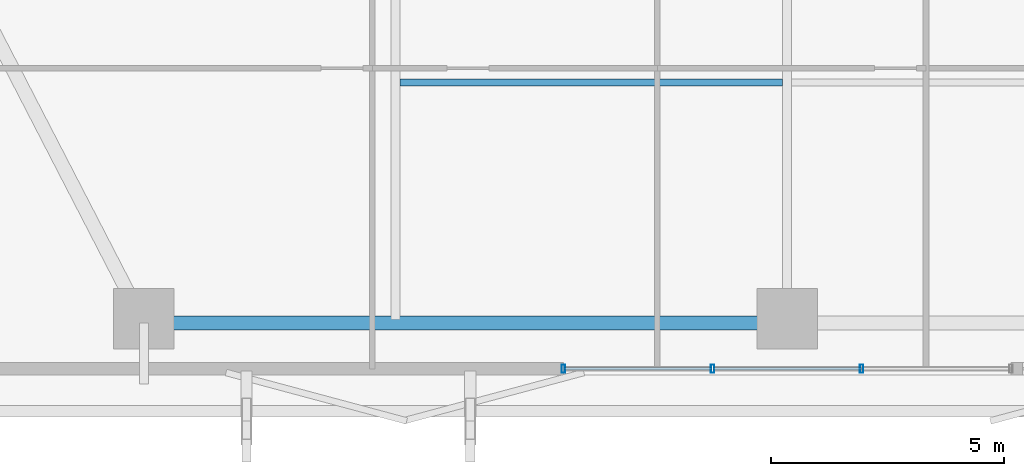
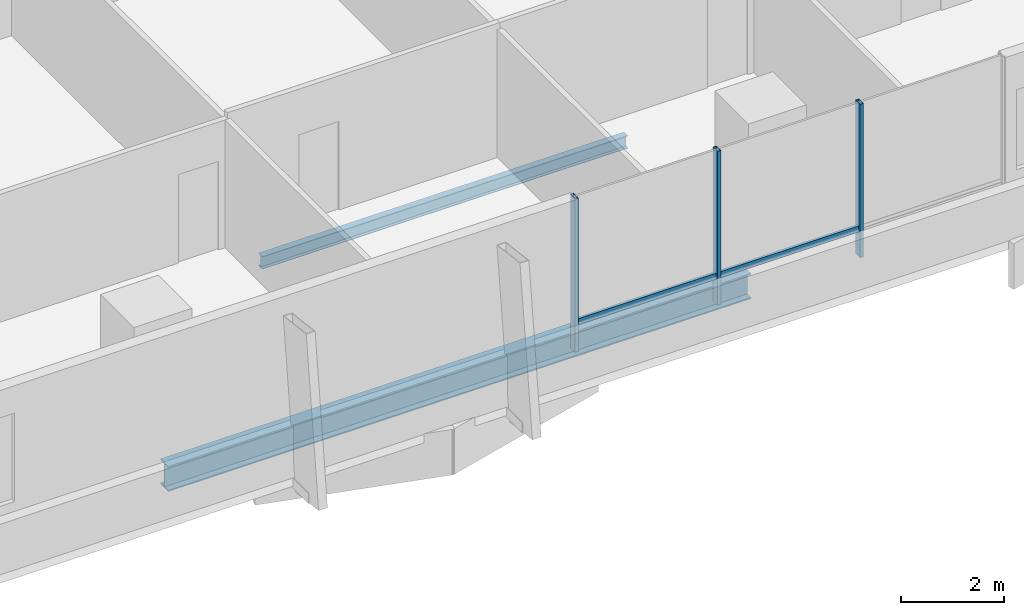
# One storey, part 5 of 34: 5 members, 2 beams, 1 element without a shape of its own.
"""IFC4 building model written with IfcOpenShell, lengths in metres."""

import ifcopenshell
import ifcopenshell.guid

model = None  # the IFC model being written
_history = None  # IfcOwnerHistory: only IFC2X3 demands one
_inside = {}  # id of a spatial element -> (the spatial element, [elements in it])
_under = {}  # id of a project, library or spatial element -> (it, [spatial elements below it])
_declared = {}  # id of a project -> (the project, [libraries it declares])
_typed = {}  # id of a type object -> (the type object, [elements of that type])
_made_of = {}  # id of a material, layer set ... -> (it, [elements and type objects made of it])


def new_model(schema):
    """Start an empty IFC model of exactly this schema.

    Asked for "IFC4X3", IfcOpenShell would pick the latest addendum, in which some entities
    have other attributes; the version numbers below select the first issue.
    IFC2X3 requires an IfcOwnerHistory on every rooted entity: one is made here for all.
    """
    global model, _history
    if schema == "IFC4X3":
        model = ifcopenshell.file(schema_version=(4, 3, 0, 0))
    else:
        model = ifcopenshell.file(schema=schema)
    _inside.clear()
    _under.clear()
    _declared.clear()
    _typed.clear()
    _made_of.clear()
    _history = None
    if model.schema == "IFC2X3":
        org = make("IfcOrganization", Name="unknown")
        user = make(
            "IfcPersonAndOrganization",
            ThePerson=make("IfcPerson", FamilyName="unknown"),
            TheOrganization=org,
        )
        app = make(
            "IfcApplication",
            ApplicationDeveloper=org,
            Version="unknown",
            ApplicationFullName="unknown",
            ApplicationIdentifier="unknown",
        )
        _history = make(
            "IfcOwnerHistory",
            OwningUser=user,
            OwningApplication=app,
            ChangeAction="ADDED",
            CreationDate=0,
        )
    return model


def make(cls, **values):
    """One entity of the class cls with the attributes given. An attribute that is None is left unset."""
    return model.create_entity(
        cls, **{name: value for name, value in values.items() if value is not None}
    )


def rooted(cls, **values):
    """An entity with a GlobalId (a new one), such as an element, a storey or a relation."""
    return make(cls, GlobalId=ifcopenshell.guid.new(), OwnerHistory=_history, **values)


def si_unit(unit_type, name, prefix=None):
    """IfcSIUnit, for example si_unit("LENGTHUNIT", "METRE", prefix="MILLI")."""
    return make("IfcSIUnit", UnitType=unit_type, Prefix=prefix, Name=name)


def assignment(units):
    """IfcUnitAssignment: the units of a project."""
    return None if units is None else make("IfcUnitAssignment", Units=units)


def point(xyz):
    """IfcCartesianPoint."""
    return None if xyz is None else make("IfcCartesianPoint", Coordinates=xyz)


def direction(xyz):
    """IfcDirection."""
    return None if xyz is None else make("IfcDirection", DirectionRatios=xyz)


def frame(location, z_axis=None, x_axis=None):
    """IfcAxis2Placement3D, a coordinate frame: its origin and axes. An axis left out is left unset."""
    return make(
        "IfcAxis2Placement3D",
        Location=point(location),
        Axis=direction(z_axis),
        RefDirection=direction(x_axis),
    )


def frame_2d(location, x_axis=None):
    """IfcAxis2Placement2D, a coordinate frame in the plane: its origin and x axis."""
    return make(
        "IfcAxis2Placement2D", Location=point(location), RefDirection=direction(x_axis)
    )


def origin():
    """The frame at (0, 0, 0) with its axes left unset."""
    return frame((0.0, 0.0, 0.0))


def origin_2d():
    """The frame at (0, 0) in the plane with its x axis left unset."""
    return frame_2d((0.0, 0.0))


def place(relative_to, where):
    """IfcLocalPlacement: puts the frame where relative to a parent placement (None: the world)."""
    return make(
        "IfcLocalPlacement", PlacementRelTo=relative_to, RelativePlacement=where
    )


def context(
    kind, dimensions, precision=None, world=None, true_north=None, identifier=None
):
    """IfcGeometricRepresentationContext, for example the 3D "Model" context."""
    return make(
        "IfcGeometricRepresentationContext",
        ContextIdentifier=identifier,
        ContextType=kind,
        CoordinateSpaceDimension=dimensions,
        Precision=precision,
        WorldCoordinateSystem=world,
        TrueNorth=true_north,
    )


def subcontext(parent, identifier, kind, view, scale=None):
    """IfcGeometricRepresentationSubContext, for example "Body" below "Model"."""
    return make(
        "IfcGeometricRepresentationSubContext",
        ContextIdentifier=identifier,
        ContextType=kind,
        ParentContext=parent,
        TargetScale=scale,
        TargetView=view,
    )


def project(units=None, contexts=None):
    """IfcProject with its units and contexts."""
    return rooted(
        "IfcProject",
        Name="project",
        RepresentationContexts=contexts,
        UnitsInContext=assignment(units),
    )


def spatial(cls, under=None, at=None, **own):
    """A site, building, storey or space (cls), placed at a placement, below another one or the project."""
    s = rooted(cls, ObjectPlacement=at, **own)
    if under is not None:
        _under.setdefault(under.id(), (under, []))[1].append(s)
    return s


def profile(cls, at=None, kind="AREA", **sizes):
    """A parametric profile (cls). Its sizes go by their IFC names, for example OverallWidth=200.0."""
    return make(cls, ProfileType=kind, Position=at, **sizes)


def hollow_rectangle(**sizes):
    """IfcRectangleHollowProfileDef."""
    return profile("IfcRectangleHollowProfileDef", **sizes)


def i_section(**sizes):
    """IfcIShapeProfileDef."""
    return profile("IfcIShapeProfileDef", **sizes)


def extrude(swept, where, along, depth):
    """IfcExtrudedAreaSolid: the profile swept, set in the frame where, extruded along a direction by depth."""
    return make(
        "IfcExtrudedAreaSolid",
        SweptArea=swept,
        Position=where,
        ExtrudedDirection=direction(along),
        Depth=depth,
    )


def shape(context_of_items, identifier, shape_type, items):
    """IfcShapeRepresentation: the items that make up one representation, for example the "Body"."""
    return make(
        "IfcShapeRepresentation",
        ContextOfItems=context_of_items,
        RepresentationIdentifier=identifier,
        RepresentationType=shape_type,
        Items=items,
    )


def material(Name=None, Category=None):
    """IfcMaterial."""
    return make("IfcMaterial", Name=Name, Category=Category)


def layer(
    of_material, thickness, ventilated=None, Name=None, Category=None, Priority=None
):
    """IfcMaterialLayer: one layer of a wall or slab, of a material (None: an air gap)."""
    return make(
        "IfcMaterialLayer",
        Material=of_material,
        LayerThickness=thickness,
        IsVentilated=ventilated,
        Name=Name,
        Category=Category,
        Priority=Priority,
    )


def layer_set(layers, Name=None):
    """IfcMaterialLayerSet."""
    return make("IfcMaterialLayerSet", MaterialLayers=layers, LayerSetName=Name)


def material_profile(
    of_material, cross_section, Name=None, Category=None, Priority=None
):
    """IfcMaterialProfile: a cross section and its material."""
    return make(
        "IfcMaterialProfile",
        Name=Name,
        Material=of_material,
        Profile=cross_section,
        Priority=Priority,
        Category=Category,
    )


def profile_set(profiles, Name=None, composite=None):
    """IfcMaterialProfileSet."""
    return make(
        "IfcMaterialProfileSet",
        Name=Name,
        MaterialProfiles=profiles,
        CompositeProfile=composite,
    )


def made_of(thing, what):
    """Note that an element or type object is made of a material, layer set ...; save() writes the relation."""
    if what is not None:
        _made_of.setdefault(what.id(), (what, []))[1].append(thing)
    return thing


def type_object(cls, material=None, **own):
    """A type object (cls), such as IfcWallType, which elements share."""
    return made_of(rooted(cls, **own), material)


def element(
    cls,
    number,
    at=None,
    inside=None,
    cuts=None,
    type_object=None,
    material=None,
    context=None,
    identifier="Body",
    shape_type=None,
    held_by="IfcProductDefinitionShape",
    body=None,
    shapes=None,
    **own,
):
    """One element of the class cls, such as IfcWall. Its Tag is "e" and its number.

    at: its placement. inside: the storey or other place that contains it. cuts: it is an
    opening in that element (IfcRelVoidsElement). A single representation is given by context,
    identifier, shape_type and body (its items); several are given by shapes. held_by: the class
    of the entity that holds the representations. save() writes the other relations.
    """
    e = rooted(cls, Tag="e%d" % number, ObjectPlacement=at, **own)
    if body is not None:
        shapes = [shape(context, identifier, shape_type, body)]
    if shapes is not None:
        e.Representation = make(held_by, Representations=shapes)
    if inside is not None:
        _inside.setdefault(inside.id(), (inside, []))[1].append(e)
    if cuts is not None:
        rooted(
            "IfcRelVoidsElement", RelatingBuildingElement=cuts, RelatedOpeningElement=e
        )
    if type_object is not None:
        _typed.setdefault(type_object.id(), (type_object, []))[1].append(e)
    return made_of(e, material)


def aggregate(whole, parts):
    """IfcRelAggregates: a whole, such as a stair, and the parts it consists of."""
    return rooted("IfcRelAggregates", RelatingObject=whole, RelatedObjects=parts)


def save(model, path):
    """Write the relations noted so far, then the file.

    IfcRelAggregates (storeys below a building ...), IfcRelContainedInSpatialStructure (elements
    in a storey), IfcRelDefinesByType, IfcRelAssociatesMaterial and IfcRelDeclares: one each for
    every whole, place, type object, material and project.
    """
    for whole, parts in _under.values():
        aggregate(whole, parts)
    for where, things in _inside.values():
        rooted(
            "IfcRelContainedInSpatialStructure",
            RelatedElements=things,
            RelatingStructure=where,
        )
    for kind, things in _typed.values():
        rooted("IfcRelDefinesByType", RelatedObjects=things, RelatingType=kind)
    for what, things in _made_of.values():
        rooted("IfcRelAssociatesMaterial", RelatedObjects=things, RelatingMaterial=what)
    for by, libraries in _declared.values():
        rooted("IfcRelDeclares", RelatingContext=by, RelatedDefinitions=libraries)
    model.write(path)


model = new_model("IFC4")

# Units and contexts
model_context = context("Model", 3, precision=1e-05, world=origin(), true_north=direction((0.0, 1.0)))
body_context = subcontext(model_context, "Body", "Model", "MODEL_VIEW")
ifc_project = project(units=[si_unit("LENGTHUNIT", "METRE"), si_unit("AREAUNIT", "SQUARE_METRE"), si_unit("VOLUMEUNIT", "CUBIC_METRE"), si_unit("PLANEANGLEUNIT", "RADIAN"), si_unit("MASSUNIT", "GRAM", prefix="KILO")], contexts=[model_context])

# Site, building, storey
site_placement = place(None, origin())
site = spatial("IfcSite", under=ifc_project, at=site_placement, CompositionType="ELEMENT")
building_placement = place(site_placement, origin())
building = spatial("IfcBuilding", under=site, at=building_placement, Name="Belovzor Exchange Tower", CompositionType="ELEMENT")
storey_placement = place(building_placement, frame((0.0, 0.0, 113.39990234375)))
storey = spatial("IfcBuildingStorey", under=building, at=storey_placement, Name="L27", CompositionType="ELEMENT", Elevation=113.39990234375)

# Beam
ifc_material_1 = material(Name="Steel S355", Category="steel")
ifc_material_profile_1 = material_profile(ifc_material_1, i_section(OverallWidth=0.14990234375, OverallDepth=0.300048828125, WebThickness=0.007080078125, FlangeThickness=0.0107421875, at=origin_2d()))
ifc_profile_set_1 = profile_set([ifc_material_profile_1], Name="Steel S355")
beam_type_1 = type_object("IfcBeamType", Name="Secondary Trim Floor Joist IPE 300", PredefinedType="BEAM", material=ifc_profile_set_1)
beam_1_placement = place(storey_placement, frame((20.4951171875, 8.97607421875, -0.39990234375), z_axis=(1.0, 0.0, 0.0), x_axis=(0.0, 1.0, 0.0)))
element("IfcBeam", 1, at=beam_1_placement, inside=storey, type_object=beam_type_1, Name="FJ-300 Secondary Trim Floor Joist IPE 300", PredefinedType="BEAM", context=body_context, shape_type="SweptSolid", body=[
    extrude(i_section(OverallWidth=0.14990234375, OverallDepth=0.300048828125, WebThickness=0.007080078125, FlangeThickness=0.0107421875, at=origin_2d()), origin(), (0.0, 0.0, 1.0), 8.2099609375),
])

# Curtain wall, members
ifc_material_2 = material(Name="Anodised Aluminium Framing", Category="aluminium")
ifc_layer = layer(ifc_material_2, 0.179931640625)
ifc_layer_set = layer_set([ifc_layer], Name="Anodised Aluminium Framing")
curtain_wall_type = type_object("IfcCurtainWallType", Name="Recessed Loggia Low-Iron Triple-Glazed Curtain Wall", PredefinedType="NOTDEFINED", material=ifc_layer_set)
curtain_wall_placement = place(storey_placement, origin())
curtain_wall = element("IfcCurtainWall", 2, at=curtain_wall_placement, inside=storey, type_object=curtain_wall_type, Name="CW3 Recessed Loggia Low-Iron Triple-Glazed Curtain Wall L27", PredefinedType="NOTDEFINED")
ifc_material_3 = material(Name="Steel S355", Category="steel")
ifc_material_profile_2 = material_profile(ifc_material_3, hollow_rectangle(XDim=0.074951171875, YDim=0.179931640625, WallThickness=0.0048828125, at=origin_2d()))
ifc_profile_set_2 = profile_set([ifc_material_profile_2], Name="Steel S355")
member_type_1 = type_object("IfcMemberType", Name="Thermally Broken Curtain Wall Mullion 180x75", PredefinedType="MULLION", material=ifc_profile_set_2)
member_1_placement = place(storey_placement, frame((30.39990234375, 2.830078125, 0.0), z_axis=(0.0, 0.0, 1.0), x_axis=(-1.0, 0.0, 0.0)))
member_1 = element("IfcMember", 3, at=member_1_placement, type_object=member_type_1, Name="CW-M180 Curtain Wall Mullion 2", PredefinedType="MULLION", context=body_context, shape_type="SweptSolid", body=[
    extrude(hollow_rectangle(XDim=0.074951171875, YDim=0.179931640625, WallThickness=0.0048828125, at=origin_2d()), origin(), (0.0, 0.0, 1.0), 3.650146484375),
])
member_2_placement = place(storey_placement, frame((27.199951171875, 2.830078125, 0.0), z_axis=(0.0, 0.0, 1.0), x_axis=(-1.0, 0.0, 0.0)))
member_2 = element("IfcMember", 4, at=member_2_placement, type_object=member_type_1, Name="CW-M180 Curtain Wall Mullion 3", PredefinedType="MULLION", context=body_context, shape_type="SweptSolid", body=[
    extrude(hollow_rectangle(XDim=0.074951171875, YDim=0.179931640625, WallThickness=0.0048828125, at=origin_2d()), origin(), (0.0, 0.0, 1.0), 3.650146484375),
])
member_3_placement = place(storey_placement, frame((24.0, 2.830078125, 0.0), z_axis=(0.0, 0.0, 1.0), x_axis=(-1.0, 0.0, 0.0)))
member_3 = element("IfcMember", 5, at=member_3_placement, type_object=member_type_1, Name="CW-M180 Curtain Wall Mullion 4", PredefinedType="MULLION", context=body_context, shape_type="SweptSolid", body=[
    extrude(hollow_rectangle(XDim=0.074951171875, YDim=0.179931640625, WallThickness=0.0048828125, at=origin_2d()), origin(), (0.0, 0.0, 1.0), 3.650146484375),
])
ifc_material_4 = material(Name="Steel S355", Category="steel")
ifc_material_profile_3 = material_profile(ifc_material_4, hollow_rectangle(XDim=0.06005859375, YDim=0.14990234375, WallThickness=0.00390625, at=origin_2d()))
ifc_profile_set_3 = profile_set([ifc_material_profile_3], Name="Steel S355")
member_type_2 = type_object("IfcMemberType", Name="Thermally Broken Curtain Wall Transom 150x60", PredefinedType="USERDEFINED", material=ifc_profile_set_3)
member_4_placement = place(storey_placement, frame((30.39208984375, 2.830078125, 0.650146484375), z_axis=(-1.0, 0.0, 0.0), x_axis=(0.0, -1.0, 0.0)))
member_4 = element("IfcMember", 6, at=member_4_placement, type_object=member_type_2, Name="CW-T150 Curtain Wall Transom 2", ObjectType="TRANSOM", PredefinedType="USERDEFINED", context=body_context, shape_type="SweptSolid", body=[
    extrude(hollow_rectangle(XDim=0.06005859375, YDim=0.14990234375, WallThickness=0.00390625, at=origin_2d()), origin(), (0.0, 0.0, 1.0), 3.18408203125),
])
member_5_placement = place(storey_placement, frame((27.19189453125, 2.830078125, 0.650146484375), z_axis=(-1.0, 0.0, 0.0), x_axis=(0.0, -1.0, 0.0)))
member_5 = element("IfcMember", 7, at=member_5_placement, type_object=member_type_2, Name="CW-T150 Curtain Wall Transom 3", ObjectType="TRANSOM", PredefinedType="USERDEFINED", context=body_context, shape_type="SweptSolid", body=[
    extrude(hollow_rectangle(XDim=0.06005859375, YDim=0.14990234375, WallThickness=0.00390625, at=origin_2d()), origin(), (0.0, 0.0, 1.0), 3.183837890625),
])
aggregate(curtain_wall, [member_1, member_2, member_3, member_4, member_5])

# Beam
ifc_material_5 = material(Name="Steel S355", Category="steel")
ifc_material_profile_4 = material_profile(ifc_material_5, i_section(OverallWidth=0.300048828125, OverallDepth=0.60009765625, WebThickness=0.015380859375, FlangeThickness=0.030029296875, at=origin_2d()))
ifc_profile_set_4 = profile_set([ifc_material_profile_4], Name="Steel S355")
beam_type_2 = type_object("IfcBeamType", Name="Zone 2 Primary Perimeter Girder HEB 600", PredefinedType="BEAM", material=ifc_profile_set_4)
beam_2_placement = place(storey_placement, frame((15.35693359375, 3.80810546875, -0.5498046875), z_axis=(1.0, 0.0, 0.0), x_axis=(0.0, 1.0, 0.0)))
element("IfcBeam", 8, at=beam_2_placement, inside=storey, type_object=beam_type_2, Name="FG-Z2 Zone 2 Primary Perimeter Girder HEB 600", PredefinedType="BEAM", context=body_context, shape_type="SweptSolid", body=[
    extrude(i_section(OverallWidth=0.300048828125, OverallDepth=0.60009765625, WebThickness=0.015380859375, FlangeThickness=0.030029296875, at=origin_2d()), origin(), (0.0, 0.0, 1.0), 13.0849609375),
])

save(model, "model.ifc")
